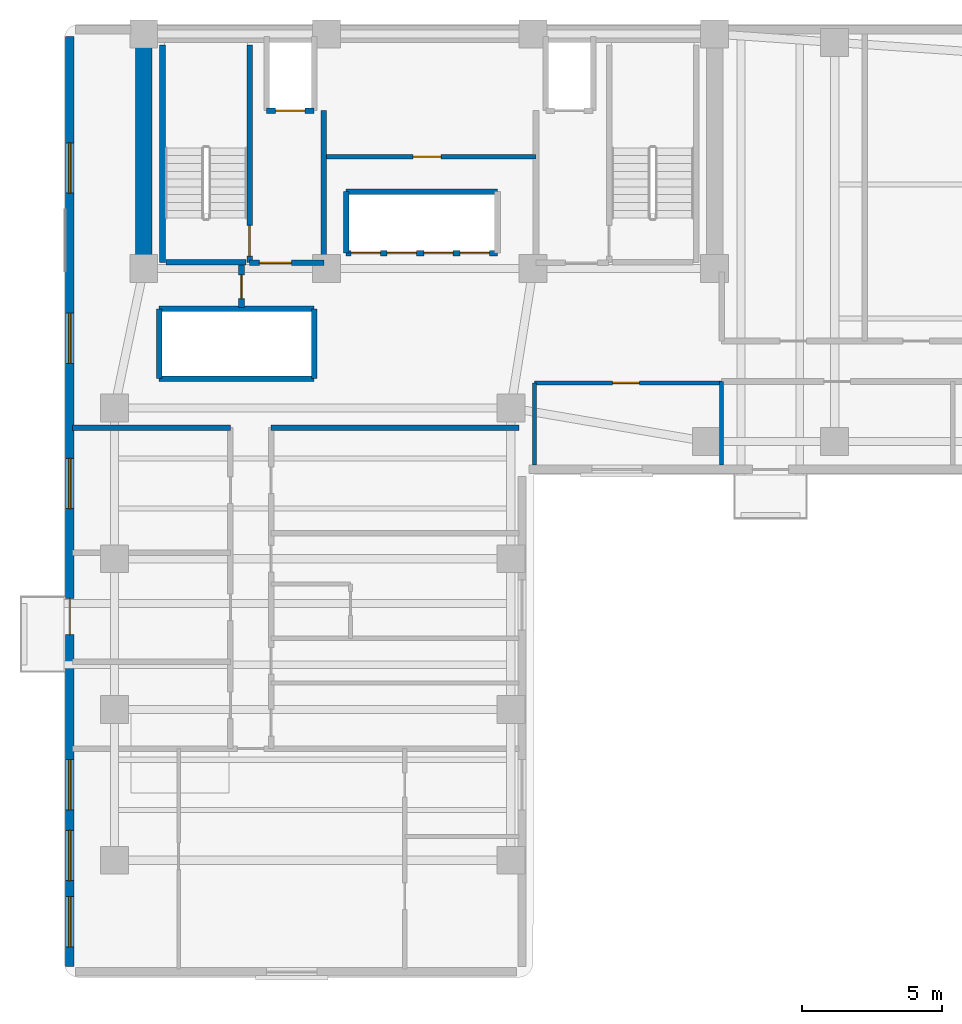
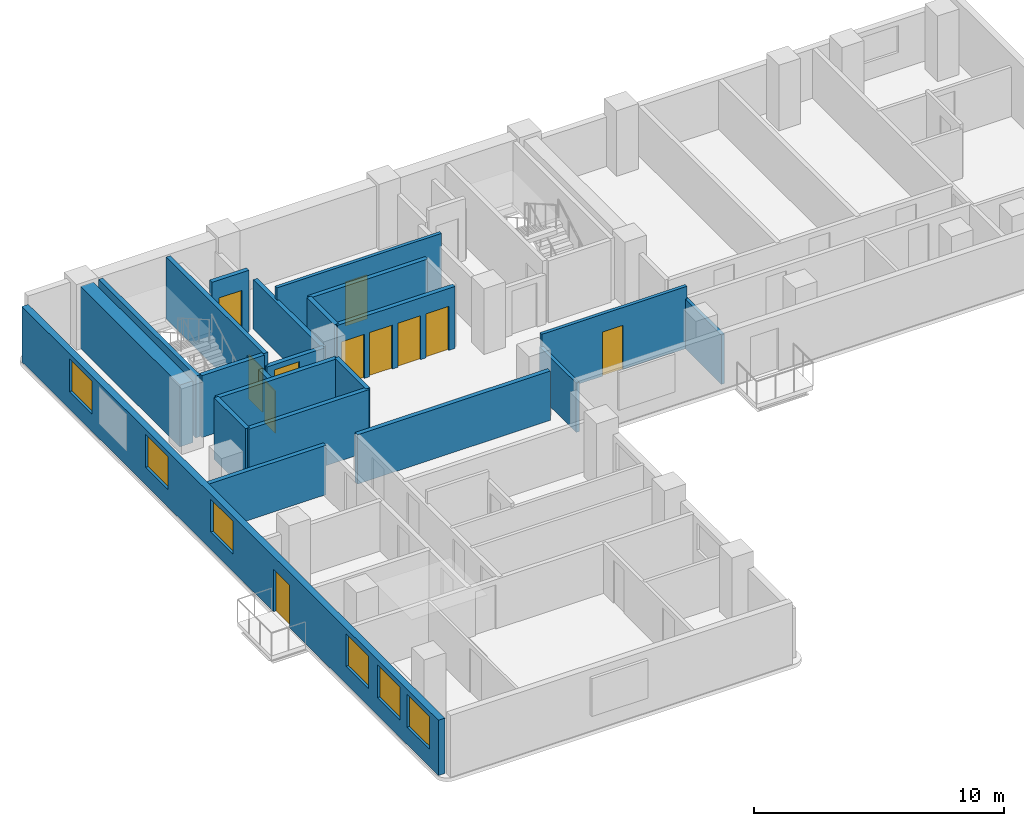
# One storey, part 3 of 7: 22 walls, 11 doors, 6 windows, 17 openings.
"""IFC4 building model written with IfcOpenShell, lengths in metres."""

from ifc_helpers import new_model, si_unit, direction, frame, frame_2d, origin, place, context, subcontext, project, spatial, rectangle, extrude, material, layer, layer_set, type_object, element, fill, save


model = new_model("IFC4")

# Units and contexts
model_context = context("Model", 3, precision=1e-05, world=origin(), true_north=direction((0.0, 1.0)))
body_context = subcontext(model_context, "Body", "Model", "MODEL_VIEW")
ifc_project = project(units=[si_unit("LENGTHUNIT", "METRE"), si_unit("AREAUNIT", "SQUARE_METRE"), si_unit("VOLUMEUNIT", "CUBIC_METRE"), si_unit("PLANEANGLEUNIT", "RADIAN"), si_unit("MASSUNIT", "GRAM", prefix="KILO")], contexts=[model_context])

# Site, building, storey
site_placement = place(None, origin())
site = spatial("IfcSite", under=ifc_project, at=site_placement, CompositionType="ELEMENT")
building_placement = place(site_placement, origin())
building = spatial("IfcBuilding", under=site, at=building_placement, Name="Kuzgunbayir Cultural Tower", CompositionType="ELEMENT")
storey_placement = place(building_placement, frame((0.0, 0.0, 117.0)))
storey = spatial("IfcBuildingStorey", under=building, at=storey_placement, Name="L33", CompositionType="ELEMENT", Elevation=117.0)

# Wall
ifc_material_1 = material(Name="Concrete C60/75", Category="concrete")
ifc_layer_1 = layer(ifc_material_1, 0.60009765625)
ifc_layer_set_1 = layer_set([ifc_layer_1], Name="Concrete C60/75")
wall_type_1 = type_object("IfcWallType", Name="WAL-CORE-600", PredefinedType="SHEAR", material=ifc_layer_set_1)
wall_1_placement = place(storey_placement, frame((6.449951171875, 33.800048828125, 0.0), z_axis=(0.0, 0.0, 1.0), x_axis=(0.0, 1.0, 0.0)))
element("IfcWall", 1, at=wall_1_placement, inside=storey, type_object=wall_type_1, Name="L33 T1 Core West Shear Wall", PredefinedType="SHEAR", context=body_context, shape_type="SweptSolid", body=[
    extrude(rectangle(XDim=7.949951171875, YDim=0.60009765625, at=frame_2d((3.97509765625, 0.0))), origin(), (0.0, 0.0, 1.0), 3.02001953125),
])

# Wall, openings, door, windows
ifc_material_2 = material(Name="Anatolian Cream Limestone", Category="masonry")
ifc_layer_2 = layer(ifc_material_2, 0.300048828125)
ifc_layer_set_2 = layer_set([ifc_layer_2], Name="Anatolian Cream Limestone")
wall_type_2 = type_object("IfcWallType", Name="WAL-EXT-STONE-300", PredefinedType="STANDARD", material=ifc_layer_set_2)
wall_2_placement = place(storey_placement, frame((3.800048828125, 42.10009765625, 0.0), z_axis=(0.0, 0.0, 1.0), x_axis=(0.0, -1.0, 0.0)))
wall_2 = element("IfcWall", 2, at=wall_2_placement, inside=storey, type_object=wall_type_2, Name="L33 Wing A West Limestone Wall", PredefinedType="STANDARD", context=body_context, shape_type="SweptSolid", body=[
    extrude(rectangle(XDim=33.300048828125, YDim=0.300048828125, at=frame_2d((16.64990234375, 0.0))), origin(), (0.0, 0.0, 1.0), 2.699951171875),
])
opening_1_placement = place(wall_2_placement, frame((20.1201171875, 0.0, 0.0)))
opening_1 = element("IfcOpeningElement", 3, at=opening_1_placement, cuts=wall_2, Name="Opening BD-13", PredefinedType="OPENING", context=body_context, shape_type="SweptSolid", body=[
    extrude(rectangle(XDim=1.300048828125, YDim=2.080078125, at=frame_2d((0.64990234375, 1.0400390625))), frame((0.0, 0.16015625, 0.0), z_axis=(0.0, -1.0, 0.0), x_axis=(1.0, 0.0, 0.0)), (0.0, 0.0, 1.0), 0.320068359375),
])
opening_2_placement = place(wall_2_placement, frame((28.429931640625, 0.0, 0.85009765625)))
opening_2 = element("IfcOpeningElement", 4, at=opening_2_placement, cuts=wall_2, Name="Opening WH-18", PredefinedType="OPENING", context=body_context, shape_type="SweptSolid", body=[
    extrude(rectangle(XDim=1.800048828125, YDim=1.60009765625, at=frame_2d((0.89990234375, 0.800048828125))), frame((0.0, 0.16015625, 0.0), z_axis=(0.0, -1.0, 0.0), x_axis=(1.0, 0.0, 0.0)), (0.0, 0.0, 1.0), 0.320068359375),
])
opening_3_placement = place(wall_2_placement, frame((30.800048828125, 0.0, 0.85009765625)))
opening_3 = element("IfcOpeningElement", 5, at=opening_3_placement, cuts=wall_2, Name="Opening WH-18", PredefinedType="OPENING", context=body_context, shape_type="SweptSolid", body=[
    extrude(rectangle(XDim=1.800048828125, YDim=1.60009765625, at=frame_2d((0.89990234375, 0.800048828125))), frame((0.0, 0.16015625, 0.0), z_axis=(0.0, -1.0, 0.0), x_axis=(1.0, 0.0, 0.0)), (0.0, 0.0, 1.0), 0.320068359375),
])
opening_4_placement = place(wall_2_placement, frame((25.89990234375, 0.0, 0.85009765625)))
opening_4 = element("IfcOpeningElement", 6, at=opening_4_placement, cuts=wall_2, Name="Opening WH-18", PredefinedType="OPENING", context=body_context, shape_type="SweptSolid", body=[
    extrude(rectangle(XDim=1.800048828125, YDim=1.60009765625, at=frame_2d((0.89990234375, 0.800048828125))), frame((0.0, 0.16015625, 0.0), z_axis=(0.0, -1.0, 0.0), x_axis=(1.0, 0.0, 0.0)), (0.0, 0.0, 1.0), 0.320068359375),
])
opening_5_placement = place(wall_2_placement, frame((15.10009765625, 0.0, 0.85009765625)))
opening_5 = element("IfcOpeningElement", 7, at=opening_5_placement, cuts=wall_2, Name="Opening WH-18", PredefinedType="OPENING", context=body_context, shape_type="SweptSolid", body=[
    extrude(rectangle(XDim=1.800048828125, YDim=1.60009765625, at=frame_2d((0.89990234375, 0.800048828125))), frame((0.0, 0.16015625, 0.0), z_axis=(0.0, -1.0, 0.0), x_axis=(1.0, 0.0, 0.0)), (0.0, 0.0, 1.0), 0.320068359375),
])
opening_6_placement = place(wall_2_placement, frame((9.89990234375, 0.0, 0.85009765625)))
opening_6 = element("IfcOpeningElement", 8, at=opening_6_placement, cuts=wall_2, Name="Opening WH-18", PredefinedType="OPENING", context=body_context, shape_type="SweptSolid", body=[
    extrude(rectangle(XDim=1.800048828125, YDim=1.60009765625, at=frame_2d((0.89990234375, 0.800048828125))), frame((0.0, 0.16015625, 0.0), z_axis=(0.0, -1.0, 0.0), x_axis=(1.0, 0.0, 0.0)), (0.0, 0.0, 1.0), 0.320068359375),
])
opening_7_placement = place(wall_2_placement, frame((3.800048828125, 0.0, 0.85009765625)))
opening_7 = element("IfcOpeningElement", 9, at=opening_7_placement, cuts=wall_2, Name="Opening WH-18", PredefinedType="OPENING", context=body_context, shape_type="SweptSolid", body=[
    extrude(rectangle(XDim=1.800048828125, YDim=1.60009765625, at=frame_2d((0.89990234375, 0.800048828125))), frame((0.0, 0.16015625, 0.0), z_axis=(0.0, -1.0, 0.0), x_axis=(1.0, 0.0, 0.0)), (0.0, 0.0, 1.0), 0.320068359375),
])
ifc_material_3 = material(Name="Thermally Broken Glazed Aluminium", Category="aluminium")
door_type_1 = type_object("IfcDoorType", Name="DR-BALCONY-135", OperationType="SLIDING_TO_LEFT", PredefinedType="DOOR", material=ifc_material_3)
door_1_placement = place(opening_1_placement, origin())
door_1 = element("IfcDoor", 10, at=door_1_placement, inside=storey, type_object=door_type_1, Name="L33 West Balcony Sliding Door BAL-L33-WA2", OperationType="SLIDING_TO_LEFT", OverallHeight=2.080078125, OverallWidth=1.300048828125, PredefinedType="DOOR", context=body_context, shape_type="SweptSolid", body=[
    extrude(rectangle(XDim=1.300048828125, YDim=2.080078125, at=frame_2d((0.64990234375, 1.0400390625))), frame((0.0, 0.02490234375, 0.0), z_axis=(0.0, -1.0, 0.0), x_axis=(1.0, 0.0, 0.0)), (0.0, 0.0, 1.0), 0.050048828125),
])
fill(opening_1, door_1)
ifc_material_4 = material(Name="Solar-Control Triple Glazing", Category="glass")
window_type = type_object("IfcWindowType", Name="WIN-HOTEL-18", PartitioningType="SINGLE_PANEL", PredefinedType="WINDOW", material=ifc_material_4)
window_1_placement = place(opening_2_placement, origin())
window_1 = element("IfcWindow", 11, at=window_1_placement, inside=storey, type_object=window_type, Name="L33 WAW Facade Window 1", OverallHeight=1.60009765625, OverallWidth=1.800048828125, PartitioningType="SINGLE_PANEL", PredefinedType="WINDOW", context=body_context, shape_type="SweptSolid", body=[
    extrude(rectangle(XDim=1.800048828125, YDim=1.60009765625, at=frame_2d((0.89990234375, 0.800048828125))), frame((0.0, 0.030029296875, 0.0), z_axis=(0.0, -1.0, 0.0), x_axis=(1.0, 0.0, 0.0)), (0.0, 0.0, 1.0), 0.06005859375),
])
fill(opening_2, window_1)
window_2_placement = place(opening_3_placement, origin())
window_2 = element("IfcWindow", 12, at=window_2_placement, inside=storey, type_object=window_type, Name="L33 WAW Facade Window 6", OverallHeight=1.60009765625, OverallWidth=1.800048828125, PartitioningType="SINGLE_PANEL", PredefinedType="WINDOW", context=body_context, shape_type="SweptSolid", body=[
    extrude(rectangle(XDim=1.800048828125, YDim=1.60009765625, at=frame_2d((0.89990234375, 0.800048828125))), frame((0.0, 0.030029296875, 0.0), z_axis=(0.0, -1.0, 0.0), x_axis=(1.0, 0.0, 0.0)), (0.0, 0.0, 1.0), 0.06005859375),
])
fill(opening_3, window_2)
window_3_placement = place(opening_4_placement, origin())
window_3 = element("IfcWindow", 13, at=window_3_placement, inside=storey, type_object=window_type, Name="L33 WAW Facade Window 7", OverallHeight=1.60009765625, OverallWidth=1.800048828125, PartitioningType="SINGLE_PANEL", PredefinedType="WINDOW", context=body_context, shape_type="SweptSolid", body=[
    extrude(rectangle(XDim=1.800048828125, YDim=1.60009765625, at=frame_2d((0.89990234375, 0.800048828125))), frame((0.0, 0.030029296875, 0.0), z_axis=(0.0, -1.0, 0.0), x_axis=(1.0, 0.0, 0.0)), (0.0, 0.0, 1.0), 0.06005859375),
])
fill(opening_4, window_3)
window_4_placement = place(opening_5_placement, origin())
window_4 = element("IfcWindow", 14, at=window_4_placement, inside=storey, type_object=window_type, Name="L33 WAW Facade Window 8", OverallHeight=1.60009765625, OverallWidth=1.800048828125, PartitioningType="SINGLE_PANEL", PredefinedType="WINDOW", context=body_context, shape_type="SweptSolid", body=[
    extrude(rectangle(XDim=1.800048828125, YDim=1.60009765625, at=frame_2d((0.89990234375, 0.800048828125))), frame((0.0, 0.030029296875, 0.0), z_axis=(0.0, -1.0, 0.0), x_axis=(1.0, 0.0, 0.0)), (0.0, 0.0, 1.0), 0.06005859375),
])
fill(opening_5, window_4)
window_5_placement = place(opening_6_placement, origin())
window_5 = element("IfcWindow", 15, at=window_5_placement, inside=storey, type_object=window_type, Name="L33 WAW Facade Window 9", OverallHeight=1.60009765625, OverallWidth=1.800048828125, PartitioningType="SINGLE_PANEL", PredefinedType="WINDOW", context=body_context, shape_type="SweptSolid", body=[
    extrude(rectangle(XDim=1.800048828125, YDim=1.60009765625, at=frame_2d((0.89990234375, 0.800048828125))), frame((0.0, 0.030029296875, 0.0), z_axis=(0.0, -1.0, 0.0), x_axis=(1.0, 0.0, 0.0)), (0.0, 0.0, 1.0), 0.06005859375),
])
fill(opening_6, window_5)
window_6_placement = place(opening_7_placement, origin())
window_6 = element("IfcWindow", 16, at=window_6_placement, inside=storey, type_object=window_type, Name="L33 WAW Facade Window 10", OverallHeight=1.60009765625, OverallWidth=1.800048828125, PartitioningType="SINGLE_PANEL", PredefinedType="WINDOW", context=body_context, shape_type="SweptSolid", body=[
    extrude(rectangle(XDim=1.800048828125, YDim=1.60009765625, at=frame_2d((0.89990234375, 0.800048828125))), frame((0.0, 0.030029296875, 0.0), z_axis=(0.0, -1.0, 0.0), x_axis=(1.0, 0.0, 0.0)), (0.0, 0.0, 1.0), 0.06005859375),
])
fill(opening_7, window_6)

# Wall, opening, door
ifc_material_5 = material(Name="Acoustic Double-Stud Drywall", Category="gypsum")
ifc_layer_3 = layer(ifc_material_5, 0.14990234375)
ifc_layer_set_3 = layer_set([ifc_layer_3], Name="Acoustic Double-Stud Drywall")
wall_type_3 = type_object("IfcWallType", Name="WAL-PART-ACOUSTIC-150", PredefinedType="PARTITIONING", material=ifc_layer_set_3)
wall_3_placement = place(storey_placement, frame((12.89990234375, 37.800048828125, 0.0), z_axis=(0.0, 0.0, 1.0), x_axis=(1.0, 0.0, 0.0)))
wall_3 = element("IfcWall", 17, at=wall_3_placement, inside=storey, type_object=wall_type_3, Name="L33 Repurposed Core Suite Wall", PredefinedType="PARTITIONING", context=body_context, shape_type="SweptSolid", body=[
    extrude(rectangle(XDim=7.60009765625, YDim=0.14990234375, at=frame_2d((3.800048828125, 0.0))), origin(), (0.0, 0.0, 1.0), 3.02001953125),
])
opening_8_placement = place(wall_3_placement, frame((3.199951171875, 0.0, 0.0)))
opening_8 = element("IfcOpeningElement", 18, at=opening_8_placement, cuts=wall_3, Name="Opening DC-100", PredefinedType="OPENING", context=body_context, shape_type="SweptSolid", body=[
    extrude(rectangle(XDim=1.0, YDim=2.14990234375, at=frame_2d((0.5, 1.074951171875))), frame((0.0, 0.0849609375, 0.0), z_axis=(0.0, -1.0, 0.0), x_axis=(1.0, 0.0, 0.0)), (0.0, 0.0, 1.0), 0.169921875),
])
ifc_material_6 = material(Name="Fire-Rated Veneered Oak Leaf", Category="wood")
door_type_2 = type_object("IfcDoorType", Name="DR-CORE-100", OperationType="NOTDEFINED", PredefinedType="DOOR", material=ifc_material_6)
door_2_placement = place(opening_8_placement, origin())
door_2 = element("IfcDoor", 19, at=door_2_placement, inside=storey, type_object=door_type_2, Name="L33 Core Reading Salon Door", OperationType="SINGLE_SWING_RIGHT", OverallHeight=2.14990234375, OverallWidth=1.0, PredefinedType="DOOR", context=body_context, shape_type="SweptSolid", body=[
    extrude(rectangle(XDim=1.0, YDim=2.14990234375, at=frame_2d((0.5, 1.074951171875))), frame((0.0, 0.02490234375, 0.0), z_axis=(0.0, -1.0, 0.0), x_axis=(1.0, 0.0, 0.0)), (0.0, 0.0, 1.0), 0.050048828125),
])
fill(opening_8, door_2)

wall_4_placement = place(storey_placement, frame((20.449951171875, 29.699951171875, 0.0), z_axis=(0.0, 0.0, 1.0), x_axis=(1.0, 0.0, 0.0)))
wall_4 = element("IfcWall", 20, at=wall_4_placement, inside=storey, type_object=wall_type_3, Name="L33 Waist Alcove North Wall", PredefinedType="PARTITIONING", context=body_context, shape_type="SweptSolid", body=[
    extrude(rectangle(XDim=6.699951171875, YDim=0.14990234375, at=frame_2d((3.35009765625, 0.0))), origin(), (0.0, 0.0, 1.0), 3.02001953125),
])
opening_9_placement = place(wall_4_placement, frame((2.800048828125, 0.0, 0.0)))
opening_9 = element("IfcOpeningElement", 21, at=opening_9_placement, cuts=wall_4, Name="Opening DI-90", PredefinedType="OPENING", context=body_context, shape_type="SweptSolid", body=[
    extrude(rectangle(XDim=0.949951171875, YDim=2.14990234375, at=frame_2d((0.47509765625, 1.074951171875))), frame((0.0, 0.0849609375, 0.0), z_axis=(0.0, -1.0, 0.0), x_axis=(1.0, 0.0, 0.0)), (0.0, 0.0, 1.0), 0.169921875),
])
ifc_material_7 = material(Name="Veneered Oak Single Leaf", Category="wood")
door_type_3 = type_object("IfcDoorType", Name="DR-INT-90", OperationType="NOTDEFINED", PredefinedType="DOOR", material=ifc_material_7)
door_3_placement = place(opening_9_placement, origin())
door_3 = element("IfcDoor", 22, at=door_3_placement, inside=storey, type_object=door_type_3, Name="L33 Waist Alcove Door", OperationType="SINGLE_SWING_RIGHT", OverallHeight=2.14990234375, OverallWidth=0.949951171875, PredefinedType="DOOR", context=body_context, shape_type="SweptSolid", body=[
    extrude(rectangle(XDim=0.949951171875, YDim=2.14990234375, at=frame_2d((0.47509765625, 1.074951171875))), frame((0.0, 0.02490234375, 0.0), z_axis=(0.0, -1.0, 0.0), x_axis=(1.0, 0.0, 0.0)), (0.0, 0.0, 1.0), 0.050048828125),
])
fill(opening_9, door_3)

# Walls
wall_5_placement = place(storey_placement, frame((20.449951171875, 26.75, 0.0), z_axis=(0.0, 0.0, 1.0), x_axis=(0.0, 1.0, 0.0)))
element("IfcWall", 23, at=wall_5_placement, inside=storey, type_object=wall_type_3, Name="L33 Waist Alcove West Wall", PredefinedType="PARTITIONING", context=body_context, shape_type="SweptSolid", body=[
    extrude(rectangle(XDim=2.949951171875, YDim=0.14990234375, at=frame_2d((1.47509765625, 0.0))), origin(), (0.0, 0.0, 1.0), 2.409912109375),
])
wall_6_placement = place(storey_placement, frame((27.14990234375, 26.75, 0.0), z_axis=(0.0, 0.0, 1.0), x_axis=(0.0, 1.0, 0.0)))
element("IfcWall", 24, at=wall_6_placement, inside=storey, type_object=wall_type_3, Name="L33 Waist Alcove East Wall", PredefinedType="PARTITIONING", context=body_context, shape_type="SweptSolid", body=[
    extrude(rectangle(XDim=3.0, YDim=0.14990234375, at=frame_2d((1.5, 0.0))), origin(), (0.0, 0.0, 1.0), 2.409912109375),
])
ifc_material_8 = material(Name="Aerated Concrete Blockwork", Category="masonry")
ifc_layer_4 = layer(ifc_material_8, 0.199951171875)
ifc_layer_set_4 = layer_set([ifc_layer_4], Name="Aerated Concrete Blockwork")
wall_type_4 = type_object("IfcWallType", Name="WAL-PART-FIRE-200", PredefinedType="PARTITIONING", material=ifc_layer_set_4)
wall_7_placement = place(storey_placement, frame((12.89990234375, 34.0, 0.0), z_axis=(0.0, 0.0, 1.0), x_axis=(0.0, 1.0, 0.0)))
element("IfcWall", 25, at=wall_7_placement, inside=storey, type_object=wall_type_4, Name="L33 FFL-1 Lobby East Fire Wall", PredefinedType="PARTITIONING", context=body_context, shape_type="SweptSolid", body=[
    extrude(rectangle(XDim=5.449951171875, YDim=0.199951171875, at=frame_2d((2.72509765625, 0.0))), origin(), (0.0, 0.0, 1.0), 2.409912109375),
])

# Wall, opening, door
wall_8_placement = place(storey_placement, frame((10.239990234375, 34.0, 0.0), z_axis=(0.0, 0.0, 1.0), x_axis=(1.0, 0.0, 0.0)))
wall_8 = element("IfcWall", 26, at=wall_8_placement, inside=storey, type_object=wall_type_4, Name="L33 FFL-1 Lobby South Fire Wall", PredefinedType="PARTITIONING", context=body_context, shape_type="SweptSolid", body=[
    extrude(rectangle(XDim=2.659912109375, YDim=0.199951171875, at=frame_2d((1.330078125, 0.0))), origin(), (0.0, 0.0, 1.0), 2.409912109375),
])
opening_10_placement = place(wall_8_placement, frame((0.35009765625, 0.0, 0.0)))
opening_10 = element("IfcOpeningElement", 27, at=opening_10_placement, cuts=wall_8, Name="Opening DR-FFL-90", PredefinedType="OPENING", context=body_context, shape_type="SweptSolid", body=[
    extrude(rectangle(XDim=1.14990234375, YDim=2.14990234375, at=frame_2d((0.574951171875, 1.074951171875))), frame((0.0, 0.10986328125, 0.0), z_axis=(0.0, -1.0, 0.0), x_axis=(1.0, 0.0, 0.0)), (0.0, 0.0, 1.0), 0.219970703125),
])
ifc_material_9 = material(Name="Steel S355J2", Category="steel")
door_type_4 = type_object("IfcDoorType", Name="DR-FFL-90", OperationType="NOTDEFINED", PredefinedType="DOOR", material=ifc_material_9)
door_4_placement = place(opening_10_placement, origin())
door_4 = element("IfcDoor", 28, at=door_4_placement, inside=storey, type_object=door_type_4, Name="L33 Firefighting Lobby 1 Door", OperationType="SINGLE_SWING_LEFT", OverallHeight=2.14990234375, OverallWidth=1.14990234375, PredefinedType="DOOR", context=body_context, shape_type="SweptSolid", body=[
    extrude(rectangle(XDim=1.14990234375, YDim=2.14990234375, at=frame_2d((0.574951171875, 1.074951171875))), frame((0.0, 0.02490234375, 0.0), z_axis=(0.0, -1.0, 0.0), x_axis=(1.0, 0.0, 0.0)), (0.0, 0.0, 1.0), 0.050048828125),
])
fill(opening_10, door_4)

wall_9_placement = place(storey_placement, frame((9.949951171875, 32.39990234375, 0.0), z_axis=(0.0, 0.0, 1.0), x_axis=(0.0, 1.0, 0.0)))
wall_9 = element("IfcWall", 29, at=wall_9_placement, inside=storey, type_object=wall_type_4, Name="L33 West Core Service Closet Wall", PredefinedType="PARTITIONING", context=body_context, shape_type="SweptSolid", body=[
    extrude(rectangle(XDim=1.52001953125, YDim=0.199951171875, at=frame_2d((0.760009765625, 0.0))), origin(), (0.0, 0.0, 1.0), 2.409912109375),
])
opening_11_placement = place(wall_9_placement, frame((0.320068359375, 0.0, 0.0)))
opening_11 = element("IfcOpeningElement", 30, at=opening_11_placement, cuts=wall_9, Name="Opening DR-RSR-60", PredefinedType="OPENING", context=body_context, shape_type="SweptSolid", body=[
    extrude(rectangle(XDim=0.85009765625, YDim=2.050048828125, at=frame_2d((0.425048828125, 1.02490234375))), frame((0.0, 0.10986328125, 0.0), z_axis=(0.0, -1.0, 0.0), x_axis=(1.0, 0.0, 0.0)), (0.0, 0.0, 1.0), 0.219970703125),
])
ifc_material_10 = material(Name="Steel Access Leaf", Category="steel")
door_type_5 = type_object("IfcDoorType", Name="DR-RISER-60", OperationType="NOTDEFINED", PredefinedType="DOOR", material=ifc_material_10)
door_5_placement = place(opening_11_placement, origin())
door_5 = element("IfcDoor", 31, at=door_5_placement, inside=storey, type_object=door_type_5, Name="L33 Cleaner Utility Store Door", OperationType="SINGLE_SWING_LEFT", OverallHeight=2.050048828125, OverallWidth=0.85009765625, PredefinedType="DOOR", context=body_context, shape_type="SweptSolid", body=[
    extrude(rectangle(XDim=0.85009765625, YDim=2.050048828125, at=frame_2d((0.425048828125, 1.02490234375))), frame((0.0, 0.02490234375, 0.0), z_axis=(0.0, -1.0, 0.0), x_axis=(1.0, 0.0, 0.0)), (0.0, 0.0, 1.0), 0.050048828125),
])
fill(opening_11, door_5)

# Walls
wall_10_placement = place(storey_placement, frame((3.89990234375, 28.10009765625, 0.0), z_axis=(0.0, 0.0, 1.0), x_axis=(1.0, 0.0, 0.0)))
element("IfcWall", 32, at=wall_10_placement, inside=storey, type_object=wall_type_4, Name="L33 North West Partition", PredefinedType="PARTITIONING", context=body_context, shape_type="SweptSolid", body=[
    extrude(rectangle(XDim=5.650146484375, YDim=0.199951171875, at=frame_2d((2.8251953125, 0.0))), origin(), (0.0, 0.0, 1.0), 2.409912109375),
])
wall_11_placement = place(storey_placement, frame((11.010009765625, 28.10009765625, 0.0), z_axis=(0.0, 0.0, 1.0), x_axis=(1.0, 0.0, 0.0)))
element("IfcWall", 33, at=wall_11_placement, inside=storey, type_object=wall_type_4, Name="L33 North East Partition", PredefinedType="PARTITIONING", context=body_context, shape_type="SweptSolid", body=[
    extrude(rectangle(XDim=8.889892578125, YDim=0.199951171875, at=frame_2d((4.44482421875, 0.0))), origin(), (0.0, 0.0, 1.0), 2.409912109375),
])
ifc_material_11 = material(Name="Concrete C40/50", Category="concrete")
ifc_layer_5 = layer(ifc_material_11, 0.199951171875)
ifc_layer_set_5 = layer_set([ifc_layer_5], Name="Concrete C40/50")
wall_type_5 = type_object("IfcWallType", Name="WAL-SHAFT-200", PredefinedType="MOVABLE", material=ifc_layer_set_5)
for number, where, z_axis, x_axis, name in (
    (34, (7.0, 29.85009765625, 0.0), (0.0, 0.0, 1.0), (1.0, 0.0, 0.0), "L33 High-Rise Lift Shaft South Wall"),
    (35, (7.0, 32.35009765625, 0.0), (0.0, 0.0, 1.0), (1.0, 0.0, 0.0), "L33 High-Rise Lift Shaft North Wall"),
):
    element("IfcWall", number, at=place(storey_placement, frame(where, z_axis=z_axis, x_axis=x_axis)), inside=storey, type_object=wall_type_5, Name=name, PredefinedType="MOVABLE", context=body_context, shape_type="SweptSolid", body=[
        extrude(rectangle(XDim=5.550048828125, YDim=0.199951171875, at=frame_2d((2.77490234375, 0.0))), origin(), (0.0, 0.0, 1.0), 3.02001953125),
    ])
for number, where, z_axis, x_axis, name in (
    (36, (7.0, 29.85009765625, 0.0), (0.0, 0.0, 1.0), (0.0, 1.0, 0.0), "L33 High-Rise Lift Shaft West Wall"),
    (37, (12.550048828125, 29.85009765625, 0.0), (0.0, 0.0, 1.0), (0.0, 1.0, 0.0), "L33 High-Rise Lift Shaft East Wall"),
):
    element("IfcWall", number, at=place(storey_placement, frame(where, z_axis=z_axis, x_axis=x_axis)), inside=storey, type_object=wall_type_5, Name=name, PredefinedType="MOVABLE", context=body_context, shape_type="SweptSolid", body=[
        extrude(rectangle(XDim=2.5, YDim=0.199951171875, at=frame_2d((1.25, 0.0))), origin(), (0.0, 0.0, 1.0), 3.02001953125),
    ])

# Wall, opening, door
wall_12_placement = place(storey_placement, frame((10.85009765625, 39.449951171875, 0.0), z_axis=(0.0, 0.0, 1.0), x_axis=(1.0, 0.0, 0.0)))
wall_12 = element("IfcWall", 38, at=wall_12_placement, inside=storey, type_object=wall_type_5, Name="L33 FFL-1 Lift Front Wall", PredefinedType="MOVABLE", context=body_context, shape_type="SweptSolid", body=[
    extrude(rectangle(XDim=1.699951171875, YDim=0.199951171875, at=frame_2d((0.85009765625, 0.0))), origin(), (0.0, 0.0, 1.0), 3.02001953125),
])
opening_12_placement = place(wall_12_placement, frame((0.320068359375, 0.0, 0.0)))
opening_12 = element("IfcOpeningElement", 39, at=opening_12_placement, cuts=wall_12, Name="Opening LD", PredefinedType="OPENING", context=body_context, shape_type="SweptSolid", body=[
    extrude(rectangle(XDim=1.050048828125, YDim=2.14990234375, at=frame_2d((0.52490234375, 1.074951171875))), frame((0.0, 0.10986328125, 0.0), z_axis=(0.0, -1.0, 0.0), x_axis=(1.0, 0.0, 0.0)), (0.0, 0.0, 1.0), 0.219970703125),
])
ifc_material_12 = material(Name="Brushed Stainless Steel", Category="steel")
door_type_6 = type_object("IfcDoorType", Name="DR-LIFT-LANDING", OperationType="SLIDING_TO_LEFT", PredefinedType="DOOR", material=ifc_material_12)
door_6_placement = place(opening_12_placement, origin())
door_6 = element("IfcDoor", 40, at=door_6_placement, inside=storey, type_object=door_type_6, Name="L33 Lift FFL-1 Landing Door", OperationType="SLIDING_TO_LEFT", OverallHeight=2.14990234375, OverallWidth=1.050048828125, PredefinedType="DOOR", context=body_context, shape_type="SweptSolid", body=[
    extrude(rectangle(XDim=1.050048828125, YDim=2.14990234375, at=frame_2d((0.52490234375, 1.074951171875))), frame((0.0, 0.02490234375, 0.0), z_axis=(0.0, -1.0, 0.0), x_axis=(1.0, 0.0, 0.0)), (0.0, 0.0, 1.0), 0.050048828125),
])
fill(opening_12, door_6)

# Wall, openings, doors
wall_13_placement = place(storey_placement, frame((13.699951171875, 34.35009765625, 0.0), z_axis=(0.0, 0.0, 1.0), x_axis=(1.0, 0.0, 0.0)))
wall_13 = element("IfcWall", 41, at=wall_13_placement, inside=storey, type_object=wall_type_5, Name="L33 Mid-Rise Lift Front Wall", PredefinedType="MOVABLE", context=body_context, shape_type="SweptSolid", body=[
    extrude(rectangle(XDim=5.420166015625, YDim=0.199951171875, at=frame_2d((2.7099609375, 0.0))), origin(), (0.0, 0.0, 1.0), 3.02001953125),
])
opening_13_placement = place(wall_13_placement, frame((0.179931640625, 0.0, 0.0)))
opening_13 = element("IfcOpeningElement", 42, at=opening_13_placement, cuts=wall_13, Name="Opening LD", PredefinedType="OPENING", context=body_context, shape_type="SweptSolid", body=[
    extrude(rectangle(XDim=1.050048828125, YDim=2.14990234375, at=frame_2d((0.52490234375, 1.074951171875))), frame((0.0, 0.10986328125, 0.0), z_axis=(0.0, -1.0, 0.0), x_axis=(1.0, 0.0, 0.0)), (0.0, 0.0, 1.0), 0.219970703125),
])
opening_14_placement = place(wall_13_placement, frame((1.469970703125, 0.0, 0.0)))
opening_14 = element("IfcOpeningElement", 43, at=opening_14_placement, cuts=wall_13, Name="Opening LD", PredefinedType="OPENING", context=body_context, shape_type="SweptSolid", body=[
    extrude(rectangle(XDim=1.050048828125, YDim=2.14990234375, at=frame_2d((0.52490234375, 1.074951171875))), frame((0.0, 0.10986328125, 0.0), z_axis=(0.0, -1.0, 0.0), x_axis=(1.0, 0.0, 0.0)), (0.0, 0.0, 1.0), 0.219970703125),
])
opening_15_placement = place(wall_13_placement, frame((2.780029296875, 0.0, 0.0)))
opening_15 = element("IfcOpeningElement", 44, at=opening_15_placement, cuts=wall_13, Name="Opening LD", PredefinedType="OPENING", context=body_context, shape_type="SweptSolid", body=[
    extrude(rectangle(XDim=1.050048828125, YDim=2.14990234375, at=frame_2d((0.52490234375, 1.074951171875))), frame((0.0, 0.10986328125, 0.0), z_axis=(0.0, -1.0, 0.0), x_axis=(1.0, 0.0, 0.0)), (0.0, 0.0, 1.0), 0.219970703125),
])
opening_16_placement = place(wall_13_placement, frame((4.080078125, 0.0, 0.0)))
opening_16 = element("IfcOpeningElement", 45, at=opening_16_placement, cuts=wall_13, Name="Opening LD", PredefinedType="OPENING", context=body_context, shape_type="SweptSolid", body=[
    extrude(rectangle(XDim=1.050048828125, YDim=2.14990234375, at=frame_2d((0.52490234375, 1.074951171875))), frame((0.0, 0.10986328125, 0.0), z_axis=(0.0, -1.0, 0.0), x_axis=(1.0, 0.0, 0.0)), (0.0, 0.0, 1.0), 0.219970703125),
])
door_7_placement = place(opening_13_placement, origin())
door_7 = element("IfcDoor", 46, at=door_7_placement, inside=storey, type_object=door_type_6, Name="L33 Lift PM-1 Landing Door", OperationType="SLIDING_TO_LEFT", OverallHeight=2.14990234375, OverallWidth=1.050048828125, PredefinedType="DOOR", context=body_context, shape_type="SweptSolid", body=[
    extrude(rectangle(XDim=1.050048828125, YDim=2.14990234375, at=frame_2d((0.52490234375, 1.074951171875))), frame((0.0, 0.02490234375, 0.0), z_axis=(0.0, -1.0, 0.0), x_axis=(1.0, 0.0, 0.0)), (0.0, 0.0, 1.0), 0.050048828125),
])
fill(opening_13, door_7)
door_8_placement = place(opening_14_placement, origin())
door_8 = element("IfcDoor", 47, at=door_8_placement, inside=storey, type_object=door_type_6, Name="L33 Lift PM-2 Landing Door", OperationType="SLIDING_TO_LEFT", OverallHeight=2.14990234375, OverallWidth=1.050048828125, PredefinedType="DOOR", context=body_context, shape_type="SweptSolid", body=[
    extrude(rectangle(XDim=1.050048828125, YDim=2.14990234375, at=frame_2d((0.52490234375, 1.074951171875))), frame((0.0, 0.02490234375, 0.0), z_axis=(0.0, -1.0, 0.0), x_axis=(1.0, 0.0, 0.0)), (0.0, 0.0, 1.0), 0.050048828125),
])
fill(opening_14, door_8)
door_9_placement = place(opening_15_placement, origin())
door_9 = element("IfcDoor", 48, at=door_9_placement, inside=storey, type_object=door_type_6, Name="L33 Lift PM-3 Landing Door", OperationType="SLIDING_TO_LEFT", OverallHeight=2.14990234375, OverallWidth=1.050048828125, PredefinedType="DOOR", context=body_context, shape_type="SweptSolid", body=[
    extrude(rectangle(XDim=1.050048828125, YDim=2.14990234375, at=frame_2d((0.52490234375, 1.074951171875))), frame((0.0, 0.02490234375, 0.0), z_axis=(0.0, -1.0, 0.0), x_axis=(1.0, 0.0, 0.0)), (0.0, 0.0, 1.0), 0.050048828125),
])
fill(opening_15, door_9)
door_10_placement = place(opening_16_placement, origin())
door_10 = element("IfcDoor", 49, at=door_10_placement, inside=storey, type_object=door_type_6, Name="L33 Lift PM-4 Landing Door", OperationType="SLIDING_TO_LEFT", OverallHeight=2.14990234375, OverallWidth=1.050048828125, PredefinedType="DOOR", context=body_context, shape_type="SweptSolid", body=[
    extrude(rectangle(XDim=1.050048828125, YDim=2.14990234375, at=frame_2d((0.52490234375, 1.074951171875))), frame((0.0, 0.02490234375, 0.0), z_axis=(0.0, -1.0, 0.0), x_axis=(1.0, 0.0, 0.0)), (0.0, 0.0, 1.0), 0.050048828125),
])
fill(opening_16, door_10)

# Walls
wall_14_placement = place(storey_placement, frame((13.699951171875, 36.550048828125, 0.0), z_axis=(0.0, 0.0, 1.0), x_axis=(1.0, 0.0, 0.0)))
element("IfcWall", 50, at=wall_14_placement, inside=storey, type_object=wall_type_5, Name="L33 Mid-Rise Lift Shaft North Wall", PredefinedType="MOVABLE", context=body_context, shape_type="SweptSolid", body=[
    extrude(rectangle(XDim=5.420166015625, YDim=0.199951171875, at=frame_2d((2.7099609375, 0.0))), origin(), (0.0, 0.0, 1.0), 3.02001953125),
])
wall_15_placement = place(storey_placement, frame((13.699951171875, 34.35009765625, 0.0), z_axis=(0.0, 0.0, 1.0), x_axis=(0.0, 1.0, 0.0)))
element("IfcWall", 51, at=wall_15_placement, inside=storey, type_object=wall_type_5, Name="L33 Mid-Rise Lift Shaft West Wall", PredefinedType="MOVABLE", context=body_context, shape_type="SweptSolid", body=[
    extrude(rectangle(XDim=2.199951171875, YDim=0.199951171875, at=frame_2d((1.10009765625, 0.0))), origin(), (0.0, 0.0, 1.0), 3.02001953125),
])
ifc_layer_6 = layer(ifc_material_11, 0.199951171875)
ifc_layer_set_6 = layer_set([ifc_layer_6], Name="Concrete C40/50")
wall_type_6 = type_object("IfcWallType", Name="WAL-STAIR-RC-200", PredefinedType="SHEAR", material=ifc_layer_set_6)
wall_16_placement = place(storey_placement, frame((7.1201171875, 34.02001953125, 0.0), z_axis=(0.0, 0.0, 1.0), x_axis=(0.0, 1.0, 0.0)))
element("IfcWall", 52, at=wall_16_placement, inside=storey, type_object=wall_type_6, Name="L33 Stair ST-1 West Structural Wall", PredefinedType="SHEAR", context=body_context, shape_type="SweptSolid", body=[
    extrude(rectangle(XDim=7.780029296875, YDim=0.199951171875, at=frame_2d((3.89013671875, 0.0))), origin(), (0.0, 0.0, 1.0), 3.02001953125),
])

# Wall, opening, door
wall_17_placement = place(storey_placement, frame((10.239990234375, 34.02001953125, 0.0), z_axis=(0.0, 0.0, 1.0), x_axis=(0.0, 1.0, 0.0)))
wall_17 = element("IfcWall", 53, at=wall_17_placement, inside=storey, type_object=wall_type_6, Name="L33 Stair ST-1 East Structural Wall", PredefinedType="SHEAR", context=body_context, shape_type="SweptSolid", body=[
    extrude(rectangle(XDim=7.780029296875, YDim=0.199951171875, at=frame_2d((3.89013671875, 0.0))), origin(), (0.0, 0.0, 1.0), 3.02001953125),
])
opening_17_placement = place(wall_17_placement, frame((0.219970703125, 0.0, 0.0)))
opening_17 = element("IfcOpeningElement", 54, at=opening_17_placement, cuts=wall_17, Name="Opening DR-STAIR-90", PredefinedType="OPENING", context=body_context, shape_type="SweptSolid", body=[
    extrude(rectangle(XDim=1.10009765625, YDim=2.14990234375, at=frame_2d((0.550048828125, 1.074951171875))), frame((0.0, 0.10986328125, 0.0), z_axis=(0.0, -1.0, 0.0), x_axis=(1.0, 0.0, 0.0)), (0.0, 0.0, 1.0), 0.219970703125),
])
door_type_7 = type_object("IfcDoorType", Name="DR-STAIR-90", OperationType="NOTDEFINED", PredefinedType="DOOR", material=ifc_material_9)
door_11_placement = place(opening_17_placement, origin())
door_11 = element("IfcDoor", 55, at=door_11_placement, inside=storey, type_object=door_type_7, Name="L33 Stair ST-1 Fire Door", OperationType="SINGLE_SWING_LEFT", OverallHeight=2.14990234375, OverallWidth=1.10009765625, PredefinedType="DOOR", context=body_context, shape_type="SweptSolid", body=[
    extrude(rectangle(XDim=1.10009765625, YDim=2.14990234375, at=frame_2d((0.550048828125, 1.074951171875))), frame((0.0, 0.02490234375, 0.0), z_axis=(0.0, -1.0, 0.0), x_axis=(1.0, 0.0, 0.0)), (0.0, 0.0, 1.0), 0.050048828125),
])
fill(opening_17, door_11)

# Wall
wall_18_placement = place(storey_placement, frame((7.239990234375, 34.02001953125, 0.0), z_axis=(0.0, 0.0, 1.0), x_axis=(1.0, 0.0, 0.0)))
element("IfcWall", 56, at=wall_18_placement, inside=storey, type_object=wall_type_6, Name="L33 Stair ST-1 South Structural Wall", PredefinedType="SHEAR", context=body_context, shape_type="SweptSolid", body=[
    extrude(rectangle(XDim=2.880126953125, YDim=0.199951171875, at=frame_2d((1.43994140625, 0.0))), origin(), (0.0, 0.0, 1.0), 3.02001953125),
])

save(model, "model.ifc")
